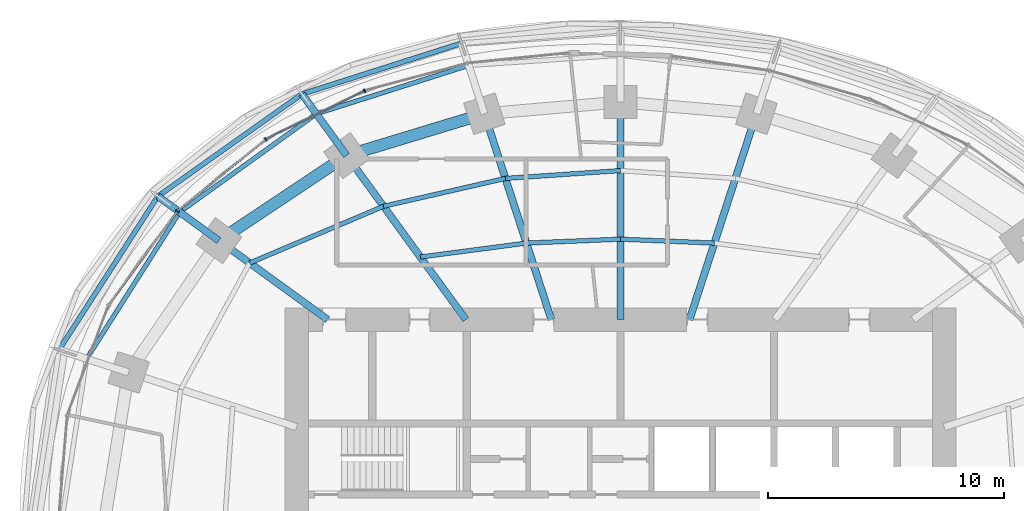
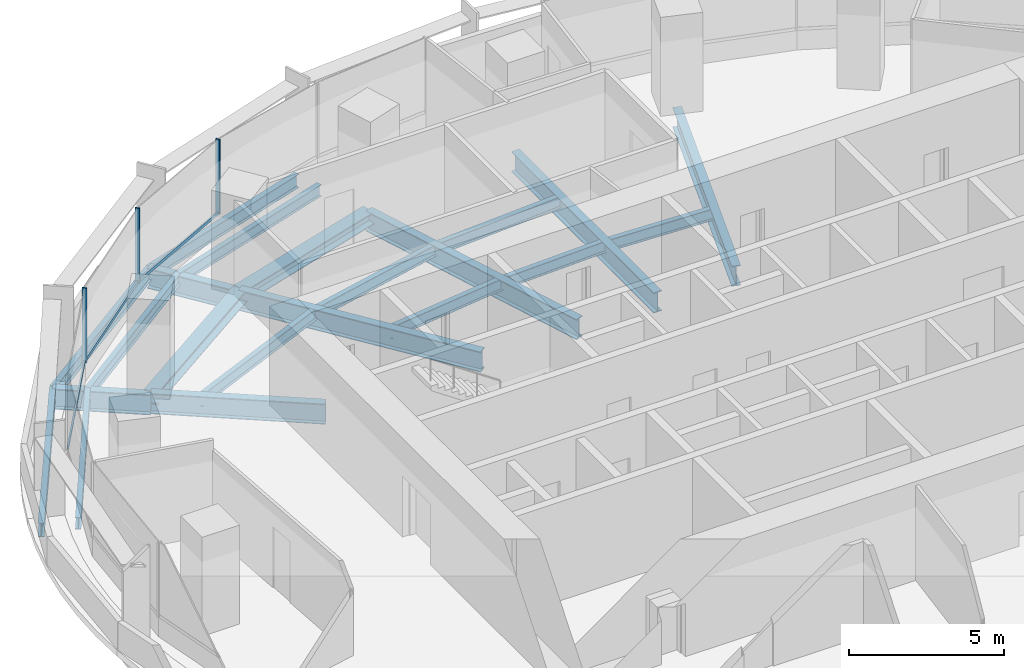
# One storey, part 7 of 17: 19 beams, 8 members, 1 element without a shape of its own.
"""IFC4 building model written with IfcOpenShell, lengths in metres."""

from ifc_helpers import new_model, si_unit, direction, frame, origin, origin_2d, place, context, subcontext, project, spatial, rectangle, i_section, extrude, material, material_profile, profile_set, type_object, element, aggregate, save


model = new_model("IFC4")

# Units and contexts
model_context = context("Model", 3, precision=1e-05, world=origin(), true_north=direction((0.0, 1.0)))
body_context = subcontext(model_context, "Body", "Model", "MODEL_VIEW")
ifc_project = project(units=[si_unit("LENGTHUNIT", "METRE"), si_unit("AREAUNIT", "SQUARE_METRE"), si_unit("VOLUMEUNIT", "CUBIC_METRE"), si_unit("PLANEANGLEUNIT", "RADIAN"), si_unit("MASSUNIT", "GRAM", prefix="KILO")], contexts=[model_context])

# Site, building, storey
site_placement = place(None, origin())
site = spatial("IfcSite", under=ifc_project, at=site_placement, CompositionType="ELEMENT")
building_placement = place(site_placement, origin())
building = spatial("IfcBuilding", under=site, at=building_placement, Name="Marramba Exchange Tower", CompositionType="ELEMENT")
storey_placement = place(building_placement, frame((0.0, 0.0, 172.10009765625)))
storey = spatial("IfcBuildingStorey", under=building, at=storey_placement, Name="L41", CompositionType="ELEMENT", Elevation=172.10009765625)

# Members
ifc_material_1 = material(Name="Steel AS/NZS 3679.2 grade 300", Category="steel")
ifc_material_profile_1 = material_profile(ifc_material_1, i_section(OverallWidth=0.5, OverallDepth=0.48388671875, WebThickness=0.02490234375, FlangeThickness=0.031982421875, at=origin_2d()), Name="500WC340")
ifc_profile_set_1 = profile_set([ifc_material_profile_1], Name="Steel AS/NZS 3679.2 grade 300")
member_type_1 = type_object("IfcMemberType", Name="Belt truss chord 500WC340", PredefinedType="CHORD", material=ifc_profile_set_1)
member_1_placement = place(storey_placement, frame((-5.75390625, 17.70849609375, -0.442138671875), z_axis=(-0.956924542524, -0.290336735387, 0.0), x_axis=(0.290336735387, -0.956924542524, 0.0)))
element("IfcMember", 1, at=member_1_placement, inside=storey, type_object=member_type_1, Name="Belt chord L41 TC07-TC08", PredefinedType="CHORD", context=body_context, shape_type="SweptSolid", body=[
    extrude(i_section(OverallWidth=0.5, OverallDepth=0.48388671875, WebThickness=0.02490234375, FlangeThickness=0.031982421875, at=origin_2d()), origin(), (0.0, 0.0, 1.0), 6.089599609375),
])
member_2_placement = place(storey_placement, frame((-11.581298828125, 15.9404296875, -0.442138671875), z_axis=(-0.832293151443, -0.554335737673, 0.0), x_axis=(0.554335737673, -0.832293151443, 0.0)))
element("IfcMember", 2, at=member_2_placement, inside=storey, type_object=member_type_1, Name="Belt chord L41 TC08-TC09", PredefinedType="CHORD", context=body_context, shape_type="SweptSolid", body=[
    extrude(i_section(OverallWidth=0.5, OverallDepth=0.48388671875, WebThickness=0.02490234375, FlangeThickness=0.031982421875, at=origin_2d()), origin(), (0.0, 0.0, 1.0), 6.49365234375),
])

# Beams
ifc_material_profile_2 = material_profile(ifc_material_1, i_section(OverallWidth=0.300048828125, OverallDepth=0.800048828125, WebThickness=0.013916015625, FlangeThickness=0.031982421875, at=origin_2d()), Name="800WB192")
ifc_profile_set_2 = profile_set([ifc_material_profile_2], Name="Steel AS/NZS 3679.2 grade 300")
beam_type_1 = type_object("IfcBeamType", Name="Cantilever girder 800WB192", PredefinedType="BEAM", material=ifc_profile_set_2)
beam_1_placement = place(storey_placement, frame((-11.581298828125, 15.9404296875, -0.650146484375), z_axis=(-0.587828447158, 0.808985609706, 0.0), x_axis=(-0.808985609706, -0.587828447158, 0.0)))
element("IfcBeam", 3, at=beam_1_placement, inside=storey, type_object=beam_type_1, Name="Cantilever girder L41 TC08", PredefinedType="BEAM", context=body_context, shape_type="SweptSolid", body=[
    extrude(i_section(OverallWidth=0.300048828125, OverallDepth=0.800048828125, WebThickness=0.013916015625, FlangeThickness=0.031982421875, at=origin_2d()), origin(), (0.0, 0.0, 1.0), 3.214599609375),
])
beam_2_placement = place(storey_placement, frame((-16.98583984375, 12.3408203125, -0.650146484375), z_axis=(-0.809013857915, 0.587789569234, 0.0), x_axis=(-0.587789569234, -0.809013857915, 0.0)))
element("IfcBeam", 4, at=beam_2_placement, inside=storey, type_object=beam_type_1, Name="Cantilever girder L41 TC09", PredefinedType="BEAM", context=body_context, shape_type="SweptSolid", body=[
    extrude(i_section(OverallWidth=0.300048828125, OverallDepth=0.800048828125, WebThickness=0.013916015625, FlangeThickness=0.031982421875, at=origin_2d()), origin(), (0.0, 0.0, 1.0), 3.191650390625),
])
ifc_material_2 = material(Name="Steel AS/NZS 3679.1 grade 300", Category="steel")
ifc_material_profile_3 = material_profile(ifc_material_2, i_section(OverallWidth=0.19091796875, OverallDepth=0.4599609375, WebThickness=0.010009765625, FlangeThickness=0.01611328125, FilletRadius=0.011474609375, at=origin_2d()), Name="460UB82.1")
ifc_profile_set_3 = profile_set([ifc_material_profile_3], Name="Steel AS/NZS 3679.1 grade 300")
beam_type_2 = type_object("IfcBeamType", Name="Floor joist 460UB82.1", PredefinedType="JOIST", material=ifc_profile_set_3)
for number, where, z_axis, x_axis, name in (
    (5, (3.975830078125, 12.236083984375, -0.43017578125), (-0.999137002892, 0.041536122257, 0.0), (-0.041536122257, -0.999137002892, 0.0), "Joist L41 bay 05 row 1"),
    (6, (0.0, 12.4013671875, -0.43017578125), (-0.999137002892, -0.041536122257, 0.0), (0.041536122257, -0.999137002892, 0.0), "Joist L41 bay 06 row 1"),
):
    element("IfcBeam", number, at=place(storey_placement, frame(where, z_axis=z_axis, x_axis=x_axis)), inside=storey, type_object=beam_type_2, Name=name, PredefinedType="JOIST", context=body_context, shape_type="SweptSolid", body=[
        extrude(i_section(OverallWidth=0.19091796875, OverallDepth=0.4599609375, WebThickness=0.010009765625, FlangeThickness=0.01611328125, FilletRadius=0.011474609375, at=origin_2d()), origin(), (0.0, 0.0, 1.0), 3.979248046875),
    ])
beam_3_placement = place(storey_placement, frame((0.0, 15.302734375, -0.43017578125), z_axis=(-0.997702652202, -0.067745241816, 0.0), x_axis=(0.067745241816, -0.997702652202, 0.0)))
element("IfcBeam", 7, at=beam_3_placement, inside=storey, type_object=beam_type_2, Name="Joist L41 bay 06 row 2", PredefinedType="JOIST", context=body_context, shape_type="SweptSolid", body=[
    extrude(i_section(OverallWidth=0.19091796875, OverallDepth=0.4599609375, WebThickness=0.010009765625, FlangeThickness=0.01611328125, FilletRadius=0.011474609375, at=origin_2d()), origin(), (0.0, 0.0, 1.0), 4.8759765625),
])
beam_4_placement = place(storey_placement, frame((-3.975830078125, 12.236083984375, -0.43017578125), z_axis=(-0.991480538255, -0.130254912618, 0.0), x_axis=(0.130254912618, -0.991480538255, 0.0)))
element("IfcBeam", 8, at=beam_4_placement, inside=storey, type_object=beam_type_2, Name="Joist L41 bay 07 row 1", PredefinedType="JOIST", context=body_context, shape_type="SweptSolid", body=[
    extrude(i_section(OverallWidth=0.19091796875, OverallDepth=0.4599609375, WebThickness=0.010009765625, FlangeThickness=0.01611328125, FilletRadius=0.011474609375, at=origin_2d()), origin(), (0.0, 0.0, 1.0), 4.524658203125),
])
beam_5_placement = place(storey_placement, frame((-4.86474609375, 14.972412109375, -0.43017578125), z_axis=(-0.974859652292, -0.222819788916, 0.0), x_axis=(0.222819788916, -0.974859652292, 0.0)))
element("IfcBeam", 9, at=beam_5_placement, inside=storey, type_object=beam_type_2, Name="Joist L41 bay 07 row 2", PredefinedType="JOIST", context=body_context, shape_type="SweptSolid", body=[
    extrude(i_section(OverallWidth=0.19091796875, OverallDepth=0.4599609375, WebThickness=0.010009765625, FlangeThickness=0.01611328125, FilletRadius=0.011474609375, at=origin_2d()), origin(), (0.0, 0.0, 1.0), 5.2900390625),
])
beam_6_placement = place(storey_placement, frame((-10.021728515625, 13.793701171875, -0.43017578125), z_axis=(-0.920674336375, -0.390331610738, 0.0), x_axis=(0.390331610738, -0.920674336375, 0.0)))
element("IfcBeam", 10, at=beam_6_placement, inside=storey, type_object=beam_type_2, Name="Joist L41 bay 08 row 2", PredefinedType="JOIST", context=body_context, shape_type="SweptSolid", body=[
    extrude(i_section(OverallWidth=0.19091796875, OverallDepth=0.4599609375, WebThickness=0.010009765625, FlangeThickness=0.01611328125, FilletRadius=0.011474609375, at=origin_2d()), origin(), (0.0, 0.0, 1.0), 6.1484375),
])

# Curtain wall, members
ifc_material_3 = material(Name="Aluminium framing, bronze anodised", Category="aluminium")
curtain_wall_type = type_object("IfcCurtainWallType", Name="Office ribbon curtain wall", PredefinedType="USERDEFINED", material=ifc_material_3)
curtain_wall_placement = place(storey_placement, origin())
curtain_wall = element("IfcCurtainWall", 11, at=curtain_wall_placement, inside=storey, type_object=curtain_wall_type, Name="Curtain wall CW4 L41 F11-F15", ObjectType="RIBBON CURTAIN WALL", PredefinedType="USERDEFINED")
ifc_material_4 = material(Name="Aluminium mullion, bronze anodised", Category="aluminium")
ifc_material_profile_4 = material_profile(ifc_material_4, rectangle(XDim=0.159912109375, YDim=0.06005859375, at=origin_2d()), Name="CW4 mullion 60x160")
ifc_profile_set_4 = profile_set([ifc_material_profile_4], Name="Aluminium mullion, bronze anodised")
member_type_2 = type_object("IfcMemberType", Name="Office ribbon curtain wall mullion", PredefinedType="MULLION", material=ifc_profile_set_4)
member_3_placement = place(storey_placement, frame((-10.818359375, 18.677978515625, 0.7998046875), z_axis=(0.0, 0.0, 1.0), x_axis=(0.438972456661, -0.898500518805, 0.0)))
member_3 = element("IfcMember", 12, at=member_3_placement, type_object=member_type_2, Name="CW4 mullion 1", PredefinedType="MULLION", context=body_context, shape_type="SweptSolid", body=[
    extrude(rectangle(XDim=0.159912109375, YDim=0.06005859375, at=origin_2d()), origin(), (0.0, 0.0, 1.0), 2.940185546875),
])
member_4_placement = place(storey_placement, frame((-15.008056640625, 16.62353515625, 0.7998046875), z_axis=(0.0, 0.0, 1.0), x_axis=(0.630200830464, -0.776432169145, 0.0)))
member_4 = element("IfcMember", 13, at=member_4_placement, type_object=member_type_2, Name="CW4 mullion 1", PredefinedType="MULLION", context=body_context, shape_type="SweptSolid", body=[
    extrude(rectangle(XDim=0.159912109375, YDim=0.06005859375, at=origin_2d()), origin(), (0.0, 0.0, 1.0), 2.940185546875),
])
member_5_placement = place(storey_placement, frame((-18.744140625, 13.581298828125, 0.7998046875), z_axis=(0.0, 0.0, 1.0), x_axis=(0.805965197024, -0.591962922138, 0.0)))
member_5 = element("IfcMember", 14, at=member_5_placement, type_object=member_type_2, Name="CW4 mullion 1", PredefinedType="MULLION", context=body_context, shape_type="SweptSolid", body=[
    extrude(rectangle(XDim=0.159912109375, YDim=0.06005859375, at=origin_2d()), origin(), (0.0, 0.0, 1.0), 2.940185546875),
])
ifc_material_5 = material(Name="Aluminium transom, bronze anodised", Category="aluminium")
ifc_material_profile_5 = material_profile(ifc_material_5, rectangle(XDim=0.06005859375, YDim=0.1201171875, at=origin_2d()), Name="CW4 transom 60x120")
ifc_profile_set_5 = profile_set([ifc_material_profile_5], Name="Aluminium transom, bronze anodised")
member_type_3 = type_object("IfcMemberType", Name="Office ribbon curtain wall transom", PredefinedType="USERDEFINED", material=ifc_profile_set_5)
member_6_placement = place(storey_placement, frame((-10.84521484375, 18.664794921875, 0.829833984375), z_axis=(-0.898501418486, -0.438970615165, 0.0), x_axis=(0.438970615165, -0.898501418486, 0.0)))
member_6 = element("IfcMember", 15, at=member_6_placement, type_object=member_type_3, Name="CW4 sill transom", ObjectType="TRANSOM", PredefinedType="USERDEFINED", context=body_context, shape_type="SweptSolid", body=[
    extrude(rectangle(XDim=0.06005859375, YDim=0.1201171875, at=origin_2d()), origin(), (0.0, 0.0, 1.0), 4.607177734375),
])
member_7_placement = place(storey_placement, frame((-15.031494140625, 16.6044921875, 0.829833984375), z_axis=(-0.776424623019, -0.630210127473, 0.0), x_axis=(0.630210127473, -0.776424623019, 0.0)))
member_7 = element("IfcMember", 16, at=member_7_placement, type_object=member_type_3, Name="CW4 sill transom", ObjectType="TRANSOM", PredefinedType="USERDEFINED", context=body_context, shape_type="SweptSolid", body=[
    extrude(rectangle(XDim=0.06005859375, YDim=0.1201171875, at=origin_2d()), origin(), (0.0, 0.0, 1.0), 4.7587890625),
])
member_8_placement = place(storey_placement, frame((-18.761962890625, 13.55712890625, 0.829833984375), z_axis=(-0.591957380483, -0.805969267213, 0.0), x_axis=(0.805969267213, -0.591957380483, 0.0)))
member_8 = element("IfcMember", 17, at=member_8_placement, type_object=member_type_3, Name="CW4 sill transom", ObjectType="TRANSOM", PredefinedType="USERDEFINED", context=body_context, shape_type="SweptSolid", body=[
    extrude(rectangle(XDim=0.06005859375, YDim=0.1201171875, at=origin_2d()), origin(), (0.0, 0.0, 1.0), 4.865478515625),
])
aggregate(curtain_wall, [member_3, member_6, member_4, member_7, member_5, member_8])

# Beams
ifc_material_profile_6 = material_profile(ifc_material_1, i_section(OverallWidth=0.300048828125, OverallDepth=0.800048828125, WebThickness=0.013916015625, FlangeThickness=0.031982421875, at=origin_2d()), Name="800WB192")
ifc_profile_set_6 = profile_set([ifc_material_profile_6], Name="Steel AS/NZS 3679.2 grade 300")
beam_type_3 = type_object("IfcBeamType", Name="Radial girder 800WB192", PredefinedType="BEAM", material=ifc_profile_set_6)
beam_7_placement = place(storey_placement, frame((2.92431640625, 9.0, -0.60009765625), z_axis=(0.309019754162, 0.951055619582, 0.0), x_axis=(-0.951055619582, 0.309019754162, 0.0)))
element("IfcBeam", 18, at=beam_7_placement, inside=storey, type_object=beam_type_3, Name="Radial girder L41 TC05", PredefinedType="BEAM", context=body_context, shape_type="SweptSolid", body=[
    extrude(i_section(OverallWidth=0.300048828125, OverallDepth=0.800048828125, WebThickness=0.013916015625, FlangeThickness=0.031982421875, at=origin_2d()), origin(), (0.0, 0.0, 1.0), 9.15673828125),
])
beam_8_placement = place(storey_placement, frame((0.0, 9.0, -0.60009765625), z_axis=(0.0, 1.0, 0.0), x_axis=(-1.0, 0.0, 0.0)))
element("IfcBeam", 19, at=beam_8_placement, inside=storey, type_object=beam_type_3, Name="Radial girder L41 TC06", PredefinedType="BEAM", context=body_context, shape_type="SweptSolid", body=[
    extrude(i_section(OverallWidth=0.300048828125, OverallDepth=0.800048828125, WebThickness=0.013916015625, FlangeThickness=0.031982421875, at=origin_2d()), origin(), (0.0, 0.0, 1.0), 9.2041015625),
])
beam_9_placement = place(storey_placement, frame((-2.92431640625, 9.0, -0.60009765625), z_axis=(-0.309019754162, 0.951055619582, 0.0), x_axis=(-0.951055619582, -0.309019754162, 0.0)))
element("IfcBeam", 20, at=beam_9_placement, inside=storey, type_object=beam_type_3, Name="Radial girder L41 TC07", PredefinedType="BEAM", context=body_context, shape_type="SweptSolid", body=[
    extrude(i_section(OverallWidth=0.300048828125, OverallDepth=0.800048828125, WebThickness=0.013916015625, FlangeThickness=0.031982421875, at=origin_2d()), origin(), (0.0, 0.0, 1.0), 9.15673828125),
])
beam_10_placement = place(storey_placement, frame((-6.538818359375, 9.0, -0.60009765625), z_axis=(-0.587782439969, 0.80901903764, 0.0), x_axis=(-0.80901903764, -0.587782439969, 0.0)))
element("IfcBeam", 21, at=beam_10_placement, inside=storey, type_object=beam_type_3, Name="Radial girder L41 TC08", PredefinedType="BEAM", context=body_context, shape_type="SweptSolid", body=[
    extrude(i_section(OverallWidth=0.300048828125, OverallDepth=0.800048828125, WebThickness=0.013916015625, FlangeThickness=0.031982421875, at=origin_2d()), origin(), (0.0, 0.0, 1.0), 8.578857421875),
])
beam_11_placement = place(storey_placement, frame((-12.387451171875, 9.0, -0.60009765625), z_axis=(-0.809025746925, 0.587773205252, 0.0), x_axis=(-0.587773205252, -0.809025746925, 0.0)))
element("IfcBeam", 22, at=beam_11_placement, inside=storey, type_object=beam_type_3, Name="Radial girder L41 TC09", PredefinedType="BEAM", context=body_context, shape_type="SweptSolid", body=[
    extrude(i_section(OverallWidth=0.300048828125, OverallDepth=0.800048828125, WebThickness=0.013916015625, FlangeThickness=0.031982421875, at=origin_2d()), origin(), (0.0, 0.0, 1.0), 5.683837890625),
])
ifc_material_profile_7 = material_profile(ifc_material_2, i_section(OverallWidth=0.19091796875, OverallDepth=0.4599609375, WebThickness=0.010009765625, FlangeThickness=0.01611328125, FilletRadius=0.011474609375, at=origin_2d()), Name="460UB82.1")
ifc_profile_set_7 = profile_set([ifc_material_profile_7], Name="Steel AS/NZS 3679.1 grade 300")
beam_type_4 = type_object("IfcBeamType", Name="Slab edge beam 460UB82.1", PredefinedType="SPANDREL", material=ifc_profile_set_7)
beam_12_placement = place(storey_placement, frame((-6.41845703125, 19.75390625, -0.43017578125), z_axis=(-0.953057484675, -0.302789416766, 0.0), x_axis=(0.302789416766, -0.953057484675, 0.0)))
element("IfcBeam", 23, at=beam_12_placement, inside=storey, type_object=beam_type_4, Name="Slab edge beam L41 TC07-TC08", PredefinedType="SPANDREL", context=body_context, shape_type="SweptSolid", body=[
    extrude(i_section(OverallWidth=0.19091796875, OverallDepth=0.4599609375, WebThickness=0.010009765625, FlangeThickness=0.01611328125, FilletRadius=0.011474609375, at=origin_2d()), origin(), (0.0, 0.0, 1.0), 6.76318359375),
])
beam_13_placement = place(storey_placement, frame((-12.8642578125, 17.7060546875, -0.43017578125), z_axis=(-0.811755352788, -0.583997643163, 0.0), x_axis=(0.583997643163, -0.811755352788, 0.0)))
element("IfcBeam", 24, at=beam_13_placement, inside=storey, type_object=beam_type_4, Name="Slab edge beam L41 TC08-TC09", PredefinedType="SPANDREL", context=body_context, shape_type="SweptSolid", body=[
    extrude(i_section(OverallWidth=0.19091796875, OverallDepth=0.4599609375, WebThickness=0.010009765625, FlangeThickness=0.01611328125, FilletRadius=0.011474609375, at=origin_2d()), origin(), (0.0, 0.0, 1.0), 7.121826171875),
])
beam_14_placement = place(storey_placement, frame((-18.6455078125, 13.546875, -0.43017578125), z_axis=(-0.535794396634, -0.844348485245, 0.0), x_axis=(0.844348485245, -0.535794396634, 0.0)))
element("IfcBeam", 25, at=beam_14_placement, inside=storey, type_object=beam_type_4, Name="Slab edge beam L41 TC09-TC10", PredefinedType="SPANDREL", context=body_context, shape_type="SweptSolid", body=[
    extrude(i_section(OverallWidth=0.19091796875, OverallDepth=0.4599609375, WebThickness=0.010009765625, FlangeThickness=0.01611328125, FilletRadius=0.011474609375, at=origin_2d()), origin(), (0.0, 0.0, 1.0), 7.35302734375),
])
ifc_material_profile_8 = material_profile(ifc_material_2, i_section(OverallWidth=0.208984375, OverallDepth=0.528076171875, WebThickness=0.009521484375, FlangeThickness=0.01318359375, FilletRadius=0.013916015625, at=origin_2d()), Name="530UB82.0")
ifc_profile_set_8 = profile_set([ifc_material_profile_8], Name="Steel AS/NZS 3679.1 grade 300")
beam_type_5 = type_object("IfcBeamType", Name="Slab edge beam 530UB82.0", PredefinedType="SPANDREL", material=ifc_profile_set_8)
beam_15_placement = place(storey_placement, frame((-6.723388671875, 20.692138671875, -0.51416015625), z_axis=(-0.952755400854, -0.303738614839, 0.0), x_axis=(0.303738614839, -0.952755400854, 0.0)))
element("IfcBeam", 26, at=beam_15_placement, inside=storey, type_object=beam_type_5, Name="Setback roof edge beam L41 TC07-TC08", PredefinedType="SPANDREL", context=body_context, shape_type="SweptSolid", body=[
    extrude(i_section(OverallWidth=0.208984375, OverallDepth=0.528076171875, WebThickness=0.009521484375, FlangeThickness=0.01318359375, FilletRadius=0.013916015625, at=origin_2d()), origin(), (0.0, 0.0, 1.0), 7.08203125),
])
beam_16_placement = place(storey_placement, frame((-13.470947265625, 18.541015625, -0.51416015625), z_axis=(-0.815673202412, -0.578512944425, 0.0), x_axis=(0.578512944425, -0.815673202412, 0.0)))
element("IfcBeam", 27, at=beam_16_placement, inside=storey, type_object=beam_type_5, Name="Setback roof edge beam L41 TC08-TC09", PredefinedType="SPANDREL", context=body_context, shape_type="SweptSolid", body=[
    extrude(i_section(OverallWidth=0.208984375, OverallDepth=0.528076171875, WebThickness=0.009521484375, FlangeThickness=0.01318359375, FilletRadius=0.013916015625, at=origin_2d()), origin(), (0.0, 0.0, 1.0), 7.474609375),
])
beam_17_placement = place(storey_placement, frame((-19.56787109375, 14.216796875, -0.51416015625), z_axis=(-0.541060886597, -0.840983422544, 0.0), x_axis=(0.840983422544, -0.541060886597, 0.0)))
element("IfcBeam", 28, at=beam_17_placement, inside=storey, type_object=beam_type_5, Name="Setback roof edge beam L41 TC09-TC10", PredefinedType="SPANDREL", context=body_context, shape_type="SweptSolid", body=[
    extrude(i_section(OverallWidth=0.208984375, OverallDepth=0.528076171875, WebThickness=0.009521484375, FlangeThickness=0.01318359375, FilletRadius=0.013916015625, at=origin_2d()), origin(), (0.0, 0.0, 1.0), 7.72900390625),
])

save(model, "model.ifc")
